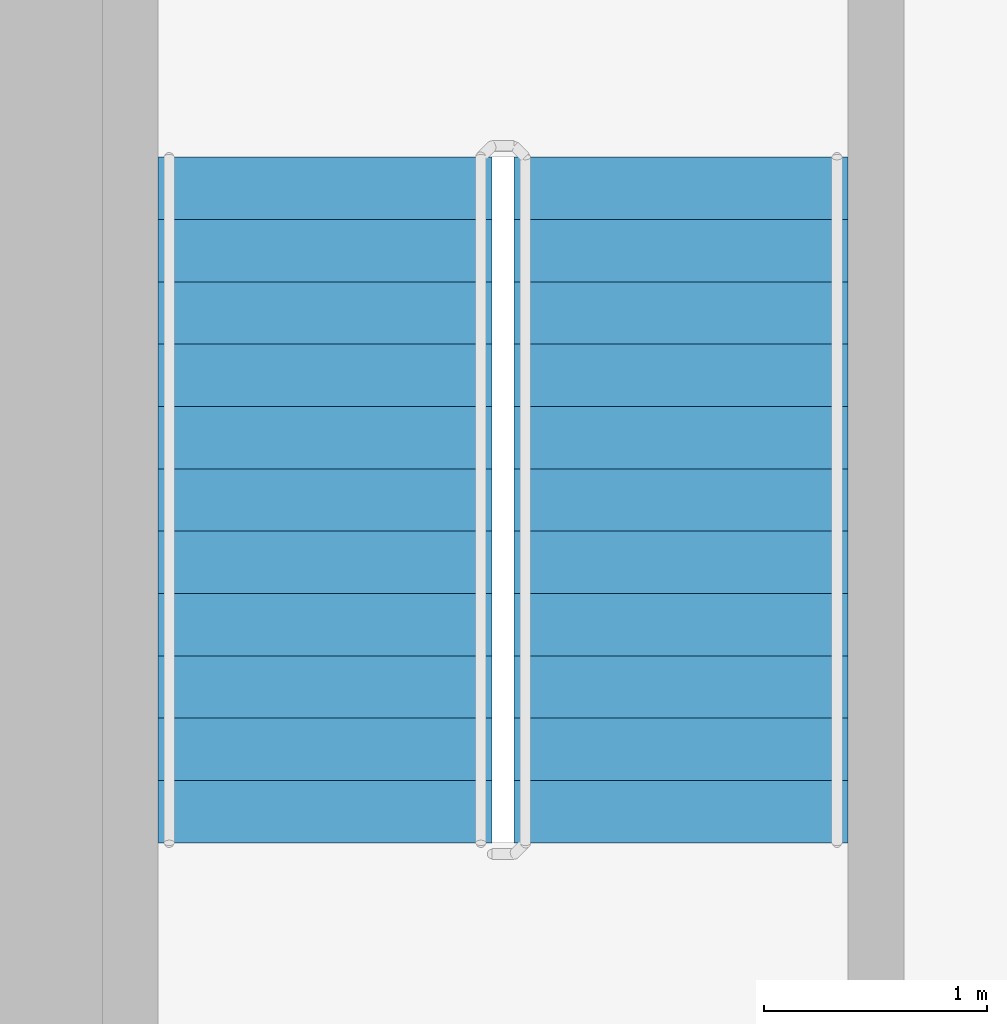
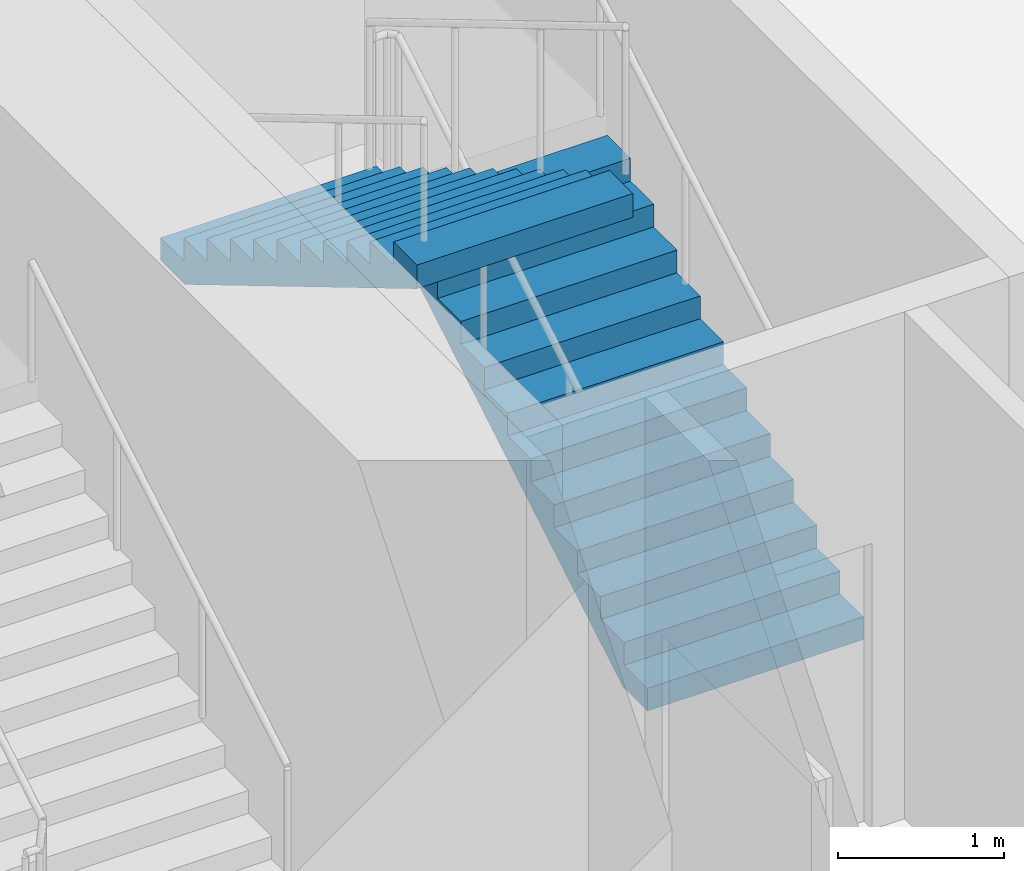
# One storey, part 17 of 27: 2 stair flights, 1 element without a shape of its own.
"""IFC4 building model written with IfcOpenShell, lengths in metres."""

from ifc_helpers import new_model, si_unit, direction, frame, origin, place, context, subcontext, project, spatial, triangles, source, transform, mapped, material, type_object, element, aggregate, save


model = new_model("IFC4")

# Units and contexts
model_context = context("Model", 3, precision=1e-05, world=origin(), true_north=direction((0.0, 1.0)))
body_context = subcontext(model_context, "Body", "Model", "MODEL_VIEW")
ifc_project = project(units=[si_unit("LENGTHUNIT", "METRE"), si_unit("AREAUNIT", "SQUARE_METRE"), si_unit("VOLUMEUNIT", "CUBIC_METRE"), si_unit("PLANEANGLEUNIT", "RADIAN"), si_unit("MASSUNIT", "GRAM", prefix="KILO")], contexts=[model_context])

# Site, building, storey
site_placement = place(None, origin())
site = spatial("IfcSite", under=ifc_project, at=site_placement, CompositionType="ELEMENT")
building_placement = place(site_placement, origin())
building = spatial("IfcBuilding", under=site, at=building_placement, Name="Kilnfold Tower and Market Hall", CompositionType="ELEMENT")
storey_placement = place(building_placement, frame((0.0, 0.0, 71.199951171875)))
storey = spatial("IfcBuildingStorey", under=building, at=storey_placement, Name="L16", CompositionType="ELEMENT", Elevation=71.199951171875)

# Stair, stair flights
ifc_material_1 = material(Name="Concrete C40/50", Category="concrete")
stair_type = type_object("IfcStairType", Name="CORE STAIR 1500", PredefinedType="HALF_TURN_STAIR", material=ifc_material_1)
stair_placement = place(storey_placement, origin())
stair = element("IfcStair", 1, at=stair_placement, inside=storey, type_object=stair_type, Name="L16 ST5", PredefinedType="HALF_TURN_STAIR")
ifc_material_2 = material(Name="Concrete C40/50", Category="concrete")
stair_flight_type = type_object("IfcStairFlightType", Name="CORE STAIR FLIGHT 1500", PredefinedType="STRAIGHT", material=ifc_material_2)
shared_shape = source(origin(), body_context, "Body", "Tessellation", [
    triangles([(0.0, 0.75, 0.0), (0.0, 0.65625, 0.0), (0.0, 0.5625, 0.0), (0.0, 0.46875, 0.0), (0.0, 0.375, 0.0), (0.0, 0.28125, 0.0), (0.0, 0.1875, 0.0), (0.0, 0.09375, 0.0), (0.0, 0.0, 0.0), (0.0, -0.09375, 0.0), (0.0, -0.1875, 0.0), (0.0, -0.28125, 0.0), (0.0, -0.375, 0.0), (0.0, -0.46875, 0.0), (0.0, -0.5625, 0.0), (0.0, -0.65625, 0.0), (0.0, -0.75, 0.0), (0.0, 0.75, 0.166748046875), (0.0, 0.65625, 0.166748046875), (0.0, 0.5625, 0.166748046875), (0.0, 0.46875, 0.166748046875), (0.0, 0.375, 0.166748046875), (0.0, 0.28125, 0.166748046875), (0.0, 0.1875, 0.166748046875), (0.0, 0.09375, 0.166748046875), (0.0, 0.0, 0.166748046875), (0.0, -0.09375, 0.166748046875), (0.0, -0.1875, 0.166748046875), (0.0, -0.28125, 0.166748046875), (0.0, -0.375, 0.166748046875), (0.0, -0.46875, 0.166748046875), (0.0, -0.5625, 0.166748046875), (0.0, -0.65625, 0.166748046875), (0.0, -0.75, 0.166748046875), (0.280029296875, 0.75, 0.166748046875), (0.280029296875, 0.65625, 0.166748046875), (0.280029296875, 0.5625, 0.166748046875), (0.280029296875, 0.46875, 0.166748046875), (0.280029296875, 0.375, 0.166748046875), (0.280029296875, 0.28125, 0.166748046875), (0.280029296875, 0.1875, 0.166748046875), (0.280029296875, 0.09375, 0.166748046875), (0.280029296875, 0.0, 0.166748046875), (0.280029296875, -0.09375, 0.166748046875), (0.280029296875, -0.1875, 0.166748046875), (0.280029296875, -0.28125, 0.166748046875), (0.280029296875, -0.375, 0.166748046875), (0.280029296875, -0.46875, 0.166748046875), (0.280029296875, -0.5625, 0.166748046875), (0.280029296875, -0.65625, 0.166748046875), (0.280029296875, -0.75, 0.166748046875), (0.280029296875, 0.75, 0.333251953125), (0.280029296875, 0.65625, 0.333251953125), (0.280029296875, 0.5625, 0.333251953125), (0.280029296875, 0.46875, 0.333251953125), (0.280029296875, 0.375, 0.333251953125), (0.280029296875, 0.28125, 0.333251953125), (0.280029296875, 0.1875, 0.333251953125), (0.280029296875, 0.09375, 0.333251953125), (0.280029296875, 0.0, 0.333251953125), (0.280029296875, -0.09375, 0.333251953125), (0.280029296875, -0.1875, 0.333251953125), (0.280029296875, -0.28125, 0.333251953125), (0.280029296875, -0.375, 0.333251953125), (0.280029296875, -0.46875, 0.333251953125), (0.280029296875, -0.5625, 0.333251953125), (0.280029296875, -0.65625, 0.333251953125), (0.280029296875, -0.75, 0.333251953125), (0.56005859375, 0.75, 0.333251953125), (0.56005859375, 0.65625, 0.333251953125), (0.56005859375, 0.5625, 0.333251953125), (0.56005859375, 0.46875, 0.333251953125), (0.56005859375, 0.375, 0.333251953125), (0.56005859375, 0.28125, 0.333251953125), (0.56005859375, 0.1875, 0.333251953125), (0.56005859375, 0.09375, 0.333251953125), (0.56005859375, 0.0, 0.333251953125), (0.56005859375, -0.09375, 0.333251953125), (0.56005859375, -0.1875, 0.333251953125), (0.56005859375, -0.28125, 0.333251953125), (0.56005859375, -0.375, 0.333251953125), (0.56005859375, -0.46875, 0.333251953125), (0.56005859375, -0.5625, 0.333251953125), (0.56005859375, -0.65625, 0.333251953125), (0.56005859375, -0.75, 0.333251953125), (0.56005859375, 0.75, 0.5), (0.56005859375, 0.65625, 0.5), (0.56005859375, 0.5625, 0.5), (0.56005859375, 0.46875, 0.5), (0.56005859375, 0.375, 0.5), (0.56005859375, 0.28125, 0.5), (0.56005859375, 0.1875, 0.5), (0.56005859375, 0.09375, 0.5), (0.56005859375, 0.0, 0.5), (0.56005859375, -0.09375, 0.5), (0.56005859375, -0.1875, 0.5), (0.56005859375, -0.28125, 0.5), (0.56005859375, -0.375, 0.5), (0.56005859375, -0.46875, 0.5), (0.56005859375, -0.5625, 0.5), (0.56005859375, -0.65625, 0.5), (0.56005859375, -0.75, 0.5), (0.840087890625, 0.75, 0.5), (0.840087890625, 0.65625, 0.5), (0.840087890625, 0.5625, 0.5), (0.840087890625, 0.46875, 0.5), (0.840087890625, 0.375, 0.5), (0.840087890625, 0.28125, 0.5), (0.840087890625, 0.1875, 0.5), (0.840087890625, 0.09375, 0.5), (0.840087890625, 0.0, 0.5), (0.840087890625, -0.09375, 0.5), (0.840087890625, -0.1875, 0.5), (0.840087890625, -0.28125, 0.5), (0.840087890625, -0.375, 0.5), (0.840087890625, -0.46875, 0.5), (0.840087890625, -0.5625, 0.5), (0.840087890625, -0.65625, 0.5), (0.840087890625, -0.75, 0.5), (0.840087890625, 0.75, 0.666748046875), (0.840087890625, 0.65625, 0.666748046875), (0.840087890625, 0.5625, 0.666748046875), (0.840087890625, 0.46875, 0.666748046875), (0.840087890625, 0.375, 0.666748046875), (0.840087890625, 0.28125, 0.666748046875), (0.840087890625, 0.1875, 0.666748046875), (0.840087890625, 0.09375, 0.666748046875), (0.840087890625, 0.0, 0.666748046875), (0.840087890625, -0.09375, 0.666748046875), (0.840087890625, -0.1875, 0.666748046875), (0.840087890625, -0.28125, 0.666748046875), (0.840087890625, -0.375, 0.666748046875), (0.840087890625, -0.46875, 0.666748046875), (0.840087890625, -0.5625, 0.666748046875), (0.840087890625, -0.65625, 0.666748046875), (0.840087890625, -0.75, 0.666748046875), (1.1201171875, 0.75, 0.666748046875), (1.1201171875, 0.65625, 0.666748046875), (1.1201171875, 0.5625, 0.666748046875), (1.1201171875, 0.46875, 0.666748046875), (1.1201171875, 0.375, 0.666748046875), (1.1201171875, 0.28125, 0.666748046875), (1.1201171875, 0.1875, 0.666748046875), (1.1201171875, 0.09375, 0.666748046875), (1.1201171875, 0.0, 0.666748046875), (1.1201171875, -0.09375, 0.666748046875), (1.1201171875, -0.1875, 0.666748046875), (1.1201171875, -0.28125, 0.666748046875), (1.1201171875, -0.375, 0.666748046875), (1.1201171875, -0.46875, 0.666748046875), (1.1201171875, -0.5625, 0.666748046875), (1.1201171875, -0.65625, 0.666748046875), (1.1201171875, -0.75, 0.666748046875), (1.1201171875, 0.75, 0.833251953125), (1.1201171875, 0.65625, 0.833251953125), (1.1201171875, 0.5625, 0.833251953125), (1.1201171875, 0.46875, 0.833251953125), (1.1201171875, 0.375, 0.833251953125), (1.1201171875, 0.28125, 0.833251953125), (1.1201171875, 0.1875, 0.833251953125), (1.1201171875, 0.09375, 0.833251953125), (1.1201171875, 0.0, 0.833251953125), (1.1201171875, -0.09375, 0.833251953125), (1.1201171875, -0.1875, 0.833251953125), (1.1201171875, -0.28125, 0.833251953125), (1.1201171875, -0.375, 0.833251953125), (1.1201171875, -0.46875, 0.833251953125), (1.1201171875, -0.5625, 0.833251953125), (1.1201171875, -0.65625, 0.833251953125), (1.1201171875, -0.75, 0.833251953125), (1.39990234375, 0.75, 0.833251953125), (1.39990234375, 0.65625, 0.833251953125), (1.39990234375, 0.5625, 0.833251953125), (1.39990234375, 0.46875, 0.833251953125), (1.39990234375, 0.375, 0.833251953125), (1.39990234375, 0.28125, 0.833251953125), (1.39990234375, 0.1875, 0.833251953125), (1.39990234375, 0.09375, 0.833251953125), (1.39990234375, 0.0, 0.833251953125), (1.39990234375, -0.09375, 0.833251953125), (1.39990234375, -0.1875, 0.833251953125), (1.39990234375, -0.28125, 0.833251953125), (1.39990234375, -0.375, 0.833251953125), (1.39990234375, -0.46875, 0.833251953125), (1.39990234375, -0.5625, 0.833251953125), (1.39990234375, -0.65625, 0.833251953125), (1.39990234375, -0.75, 0.833251953125), (1.39990234375, 0.75, 1.0), (1.39990234375, 0.65625, 1.0), (1.39990234375, 0.5625, 1.0), (1.39990234375, 0.46875, 1.0), (1.39990234375, 0.375, 1.0), (1.39990234375, 0.28125, 1.0), (1.39990234375, 0.1875, 1.0), (1.39990234375, 0.09375, 1.0), (1.39990234375, 0.0, 1.0), (1.39990234375, -0.09375, 1.0), (1.39990234375, -0.1875, 1.0), (1.39990234375, -0.28125, 1.0), (1.39990234375, -0.375, 1.0), (1.39990234375, -0.46875, 1.0), (1.39990234375, -0.5625, 1.0), (1.39990234375, -0.65625, 1.0), (1.39990234375, -0.75, 1.0), (1.679931640625, 0.75, 1.0), (1.679931640625, 0.65625, 1.0), (1.679931640625, 0.5625, 1.0), (1.679931640625, 0.46875, 1.0), (1.679931640625, 0.375, 1.0), (1.679931640625, 0.28125, 1.0), (1.679931640625, 0.1875, 1.0), (1.679931640625, 0.09375, 1.0), (1.679931640625, 0.0, 1.0), (1.679931640625, -0.09375, 1.0), (1.679931640625, -0.1875, 1.0), (1.679931640625, -0.28125, 1.0), (1.679931640625, -0.375, 1.0), (1.679931640625, -0.46875, 1.0), (1.679931640625, -0.5625, 1.0), (1.679931640625, -0.65625, 1.0), (1.679931640625, -0.75, 1.0), (1.679931640625, 0.75, 1.166748046875), (1.679931640625, 0.65625, 1.166748046875), (1.679931640625, 0.5625, 1.166748046875), (1.679931640625, 0.46875, 1.166748046875), (1.679931640625, 0.375, 1.166748046875), (1.679931640625, 0.28125, 1.166748046875), (1.679931640625, 0.1875, 1.166748046875), (1.679931640625, 0.09375, 1.166748046875), (1.679931640625, 0.0, 1.166748046875), (1.679931640625, -0.09375, 1.166748046875), (1.679931640625, -0.1875, 1.166748046875), (1.679931640625, -0.28125, 1.166748046875), (1.679931640625, -0.375, 1.166748046875), (1.679931640625, -0.46875, 1.166748046875), (1.679931640625, -0.5625, 1.166748046875), (1.679931640625, -0.65625, 1.166748046875), (1.679931640625, -0.75, 1.166748046875), (1.9599609375, 0.75, 1.166748046875), (1.9599609375, 0.65625, 1.166748046875), (1.9599609375, 0.5625, 1.166748046875), (1.9599609375, 0.46875, 1.166748046875), (1.9599609375, 0.375, 1.166748046875), (1.9599609375, 0.28125, 1.166748046875), (1.9599609375, 0.1875, 1.166748046875), (1.9599609375, 0.09375, 1.166748046875), (1.9599609375, 0.0, 1.166748046875), (1.9599609375, -0.09375, 1.166748046875), (1.9599609375, -0.1875, 1.166748046875), (1.9599609375, -0.28125, 1.166748046875), (1.9599609375, -0.375, 1.166748046875), (1.9599609375, -0.46875, 1.166748046875), (1.9599609375, -0.5625, 1.166748046875), (1.9599609375, -0.65625, 1.166748046875), (1.9599609375, -0.75, 1.166748046875), (1.9599609375, 0.75, 1.333251953125), (1.9599609375, 0.65625, 1.333251953125), (1.9599609375, 0.5625, 1.333251953125), (1.9599609375, 0.46875, 1.333251953125), (1.9599609375, 0.375, 1.333251953125), (1.9599609375, 0.28125, 1.333251953125), (1.9599609375, 0.1875, 1.333251953125), (1.9599609375, 0.09375, 1.333251953125), (1.9599609375, 0.0, 1.333251953125), (1.9599609375, -0.09375, 1.333251953125), (1.9599609375, -0.1875, 1.333251953125), (1.9599609375, -0.28125, 1.333251953125), (1.9599609375, -0.375, 1.333251953125), (1.9599609375, -0.46875, 1.333251953125), (1.9599609375, -0.5625, 1.333251953125), (1.9599609375, -0.65625, 1.333251953125), (1.9599609375, -0.75, 1.333251953125), (2.239990234375, 0.75, 1.333251953125), (2.239990234375, 0.65625, 1.333251953125), (2.239990234375, 0.5625, 1.333251953125), (2.239990234375, 0.46875, 1.333251953125), (2.239990234375, 0.375, 1.333251953125), (2.239990234375, 0.28125, 1.333251953125), (2.239990234375, 0.1875, 1.333251953125), (2.239990234375, 0.09375, 1.333251953125), (2.239990234375, 0.0, 1.333251953125), (2.239990234375, -0.09375, 1.333251953125), (2.239990234375, -0.1875, 1.333251953125), (2.239990234375, -0.28125, 1.333251953125), (2.239990234375, -0.375, 1.333251953125), (2.239990234375, -0.46875, 1.333251953125), (2.239990234375, -0.5625, 1.333251953125), (2.239990234375, -0.65625, 1.333251953125), (2.239990234375, -0.75, 1.333251953125), (2.239990234375, 0.75, 1.5), (2.239990234375, 0.65625, 1.5), (2.239990234375, 0.5625, 1.5), (2.239990234375, 0.46875, 1.5), (2.239990234375, 0.375, 1.5), (2.239990234375, 0.28125, 1.5), (2.239990234375, 0.1875, 1.5), (2.239990234375, 0.09375, 1.5), (2.239990234375, 0.0, 1.5), (2.239990234375, -0.09375, 1.5), (2.239990234375, -0.1875, 1.5), (2.239990234375, -0.28125, 1.5), (2.239990234375, -0.375, 1.5), (2.239990234375, -0.46875, 1.5), (2.239990234375, -0.5625, 1.5), (2.239990234375, -0.65625, 1.5), (2.239990234375, -0.75, 1.5), (2.52001953125, 0.75, 1.5), (2.52001953125, 0.65625, 1.5), (2.52001953125, 0.5625, 1.5), (2.52001953125, 0.46875, 1.5), (2.52001953125, 0.375, 1.5), (2.52001953125, 0.28125, 1.5), (2.52001953125, 0.1875, 1.5), (2.52001953125, 0.09375, 1.5), (2.52001953125, 0.0, 1.5), (2.52001953125, -0.09375, 1.5), (2.52001953125, -0.1875, 1.5), (2.52001953125, -0.28125, 1.5), (2.52001953125, -0.375, 1.5), (2.52001953125, -0.46875, 1.5), (2.52001953125, -0.5625, 1.5), (2.52001953125, -0.65625, 1.5), (2.52001953125, -0.75, 1.5), (2.52001953125, 0.75, 1.666748046875), (2.52001953125, 0.65625, 1.666748046875), (2.52001953125, 0.5625, 1.666748046875), (2.52001953125, 0.46875, 1.666748046875), (2.52001953125, 0.375, 1.666748046875), (2.52001953125, 0.28125, 1.666748046875), (2.52001953125, 0.1875, 1.666748046875), (2.52001953125, 0.09375, 1.666748046875), (2.52001953125, 0.0, 1.666748046875), (2.52001953125, -0.09375, 1.666748046875), (2.52001953125, -0.1875, 1.666748046875), (2.52001953125, -0.28125, 1.666748046875), (2.52001953125, -0.375, 1.666748046875), (2.52001953125, -0.46875, 1.666748046875), (2.52001953125, -0.5625, 1.666748046875), (2.52001953125, -0.65625, 1.666748046875), (2.52001953125, -0.75, 1.666748046875), (2.800048828125, 0.75, 1.666748046875), (2.800048828125, 0.65625, 1.666748046875), (2.800048828125, 0.5625, 1.666748046875), (2.800048828125, 0.46875, 1.666748046875), (2.800048828125, 0.375, 1.666748046875), (2.800048828125, 0.28125, 1.666748046875), (2.800048828125, 0.1875, 1.666748046875), (2.800048828125, 0.09375, 1.666748046875), (2.800048828125, 0.0, 1.666748046875), (2.800048828125, -0.09375, 1.666748046875), (2.800048828125, -0.1875, 1.666748046875), (2.800048828125, -0.28125, 1.666748046875), (2.800048828125, -0.375, 1.666748046875), (2.800048828125, -0.46875, 1.666748046875), (2.800048828125, -0.5625, 1.666748046875), (2.800048828125, -0.65625, 1.666748046875), (2.800048828125, -0.75, 1.666748046875), (2.800048828125, 0.75, 1.833251953125), (2.800048828125, 0.65625, 1.833251953125), (2.800048828125, 0.5625, 1.833251953125), (2.800048828125, 0.46875, 1.833251953125), (2.800048828125, 0.375, 1.833251953125), (2.800048828125, 0.28125, 1.833251953125), (2.800048828125, 0.1875, 1.833251953125), (2.800048828125, 0.09375, 1.833251953125), (2.800048828125, 0.0, 1.833251953125), (2.800048828125, -0.09375, 1.833251953125), (2.800048828125, -0.1875, 1.833251953125), (2.800048828125, -0.28125, 1.833251953125), (2.800048828125, -0.375, 1.833251953125), (2.800048828125, -0.46875, 1.833251953125), (2.800048828125, -0.5625, 1.833251953125), (2.800048828125, -0.65625, 1.833251953125), (2.800048828125, -0.75, 1.833251953125), (3.080078125, 0.75, 1.833251953125), (3.080078125, 0.65625, 1.833251953125), (3.080078125, 0.5625, 1.833251953125), (3.080078125, 0.46875, 1.833251953125), (3.080078125, 0.375, 1.833251953125), (3.080078125, 0.28125, 1.833251953125), (3.080078125, 0.1875, 1.833251953125), (3.080078125, 0.09375, 1.833251953125), (3.080078125, 0.0, 1.833251953125), (3.080078125, -0.09375, 1.833251953125), (3.080078125, -0.1875, 1.833251953125), (3.080078125, -0.28125, 1.833251953125), (3.080078125, -0.375, 1.833251953125), (3.080078125, -0.46875, 1.833251953125), (3.080078125, -0.5625, 1.833251953125), (3.080078125, -0.65625, 1.833251953125), (3.080078125, -0.75, 1.833251953125), (3.080078125, 0.75, 1.658935546875), (3.080078125, 0.65625, 1.658935546875), (3.080078125, 0.5625, 1.658935546875), (3.080078125, 0.46875, 1.658935546875), (3.080078125, 0.375, 1.658935546875), (3.080078125, 0.28125, 1.658935546875), (3.080078125, 0.1875, 1.658935546875), (3.080078125, 0.09375, 1.658935546875), (3.080078125, 0.0, 1.658935546875), (3.080078125, -0.09375, 1.658935546875), (3.080078125, -0.1875, 1.658935546875), (3.080078125, -0.28125, 1.658935546875), (3.080078125, -0.375, 1.658935546875), (3.080078125, -0.46875, 1.658935546875), (3.080078125, -0.5625, 1.658935546875), (3.080078125, -0.65625, 1.658935546875), (3.080078125, -0.75, 1.658935546875), (0.29296875, 0.75, 0.0), (0.29296875, 0.65625, 0.0), (0.29296875, 0.5625, 0.0), (0.29296875, 0.46875, 0.0), (0.29296875, 0.375, 0.0), (0.29296875, 0.28125, 0.0), (0.29296875, 0.1875, 0.0), (0.29296875, 0.09375, 0.0), (0.29296875, 0.0, 0.0), (0.29296875, -0.09375, 0.0), (0.29296875, -0.1875, 0.0), (0.29296875, -0.28125, 0.0), (0.29296875, -0.375, 0.0), (0.29296875, -0.46875, 0.0), (0.29296875, -0.5625, 0.0), (0.29296875, -0.65625, 0.0), (0.29296875, -0.75, 0.0)], [[1, 392, 409], [17, 425, 408], [392, 358, 375], [408, 391, 374], [392, 341, 358], [408, 374, 357], [392, 324, 341], [408, 357, 340], [392, 307, 324], [408, 340, 323], [307, 273, 290], [323, 306, 289], [392, 273, 307], [408, 323, 289], [273, 239, 256], [289, 272, 255], [392, 239, 273], [408, 289, 255], [239, 205, 222], [255, 238, 221], [392, 205, 239], [408, 255, 221], [205, 171, 188], [221, 204, 187], [392, 171, 205], [408, 221, 187], [171, 137, 154], [187, 170, 153], [392, 137, 171], [408, 187, 153], [137, 103, 120], [153, 136, 119], [392, 103, 137], [408, 153, 119], [103, 69, 86], [119, 102, 85], [392, 69, 103], [408, 119, 85], [1, 69, 392], [17, 408, 85], [69, 35, 52], [85, 68, 51], [1, 35, 69], [17, 85, 51], [35, 1, 18], [51, 34, 17], [1, 19, 18], [1, 2, 19], [2, 20, 19], [2, 3, 20], [3, 21, 20], [3, 4, 21], [4, 22, 21], [4, 5, 22], [5, 23, 22], [5, 6, 23], [6, 24, 23], [6, 7, 24], [7, 25, 24], [7, 8, 25], [8, 26, 25], [8, 9, 26], [9, 27, 26], [9, 10, 27], [10, 28, 27], [10, 11, 28], [11, 29, 28], [11, 12, 29], [12, 30, 29], [12, 13, 30], [13, 31, 30], [13, 14, 31], [14, 32, 31], [14, 15, 32], [15, 33, 32], [15, 16, 33], [16, 34, 33], [16, 17, 34], [18, 36, 35], [18, 19, 36], [19, 37, 36], [19, 20, 37], [20, 38, 37], [20, 21, 38], [21, 39, 38], [21, 22, 39], [22, 40, 39], [22, 23, 40], [23, 41, 40], [23, 24, 41], [24, 42, 41], [24, 25, 42], [25, 43, 42], [25, 26, 43], [26, 44, 43], [26, 27, 44], [27, 45, 44], [27, 28, 45], [28, 46, 45], [28, 29, 46], [29, 47, 46], [29, 30, 47], [30, 48, 47], [30, 31, 48], [31, 49, 48], [31, 32, 49], [32, 50, 49], [32, 33, 50], [33, 51, 50], [33, 34, 51], [35, 53, 52], [35, 36, 53], [36, 54, 53], [36, 37, 54], [37, 55, 54], [37, 38, 55], [38, 56, 55], [38, 39, 56], [39, 57, 56], [39, 40, 57], [40, 58, 57], [40, 41, 58], [41, 59, 58], [41, 42, 59], [42, 60, 59], [42, 43, 60], [43, 61, 60], [43, 44, 61], [44, 62, 61], [44, 45, 62], [45, 63, 62], [45, 46, 63], [46, 64, 63], [46, 47, 64], [47, 65, 64], [47, 48, 65], [48, 66, 65], [48, 49, 66], [49, 67, 66], [49, 50, 67], [50, 68, 67], [50, 51, 68], [52, 70, 69], [52, 53, 70], [53, 71, 70], [53, 54, 71], [54, 72, 71], [54, 55, 72], [55, 73, 72], [55, 56, 73], [56, 74, 73], [56, 57, 74], [57, 75, 74], [57, 58, 75], [58, 76, 75], [58, 59, 76], [59, 77, 76], [59, 60, 77], [60, 78, 77], [60, 61, 78], [61, 79, 78], [61, 62, 79], [62, 80, 79], [62, 63, 80], [63, 81, 80], [63, 64, 81], [64, 82, 81], [64, 65, 82], [65, 83, 82], [65, 66, 83], [66, 84, 83], [66, 67, 84], [67, 85, 84], [67, 68, 85], [69, 87, 86], [69, 70, 87], [70, 88, 87], [70, 71, 88], [71, 89, 88], [71, 72, 89], [72, 90, 89], [72, 73, 90], [73, 91, 90], [73, 74, 91], [74, 92, 91], [74, 75, 92], [75, 93, 92], [75, 76, 93], [76, 94, 93], [76, 77, 94], [77, 95, 94], [77, 78, 95], [78, 96, 95], [78, 79, 96], [79, 97, 96], [79, 80, 97], [80, 98, 97], [80, 81, 98], [81, 99, 98], [81, 82, 99], [82, 100, 99], [82, 83, 100], [83, 101, 100], [83, 84, 101], [84, 102, 101], [84, 85, 102], [86, 104, 103], [86, 87, 104], [87, 105, 104], [87, 88, 105], [88, 106, 105], [88, 89, 106], [89, 107, 106], [89, 90, 107], [90, 108, 107], [90, 91, 108], [91, 109, 108], [91, 92, 109], [92, 110, 109], [92, 93, 110], [93, 111, 110], [93, 94, 111], [94, 112, 111], [94, 95, 112], [95, 113, 112], [95, 96, 113], [96, 114, 113], [96, 97, 114], [97, 115, 114], [97, 98, 115], [98, 116, 115], [98, 99, 116], [99, 117, 116], [99, 100, 117], [100, 118, 117], [100, 101, 118], [101, 119, 118], [101, 102, 119], [103, 121, 120], [103, 104, 121], [104, 122, 121], [104, 105, 122], [105, 123, 122], [105, 106, 123], [106, 124, 123], [106, 107, 124], [107, 125, 124], [107, 108, 125], [108, 126, 125], [108, 109, 126], [109, 127, 126], [109, 110, 127], [110, 128, 127], [110, 111, 128], [111, 129, 128], [111, 112, 129], [112, 130, 129], [112, 113, 130], [113, 131, 130], [113, 114, 131], [114, 132, 131], [114, 115, 132], [115, 133, 132], [115, 116, 133], [116, 134, 133], [116, 117, 134], [117, 135, 134], [117, 118, 135], [118, 136, 135], [118, 119, 136], [120, 138, 137], [120, 121, 138], [121, 139, 138], [121, 122, 139], [122, 140, 139], [122, 123, 140], [123, 141, 140], [123, 124, 141], [124, 142, 141], [124, 125, 142], [125, 143, 142], [125, 126, 143], [126, 144, 143], [126, 127, 144], [127, 145, 144], [127, 128, 145], [128, 146, 145], [128, 129, 146], [129, 147, 146], [129, 130, 147], [130, 148, 147], [130, 131, 148], [131, 149, 148], [131, 132, 149], [132, 150, 149], [132, 133, 150], [133, 151, 150], [133, 134, 151], [134, 152, 151], [134, 135, 152], [135, 153, 152], [135, 136, 153], [137, 155, 154], [137, 138, 155], [138, 156, 155], [138, 139, 156], [139, 157, 156], [139, 140, 157], [140, 158, 157], [140, 141, 158], [141, 159, 158], [141, 142, 159], [142, 160, 159], [142, 143, 160], [143, 161, 160], [143, 144, 161], [144, 162, 161], [144, 145, 162], [145, 163, 162], [145, 146, 163], [146, 164, 163], [146, 147, 164], [147, 165, 164], [147, 148, 165], [148, 166, 165], [148, 149, 166], [149, 167, 166], [149, 150, 167], [150, 168, 167], [150, 151, 168], [151, 169, 168], [151, 152, 169], [152, 170, 169], [152, 153, 170], [154, 172, 171], [154, 155, 172], [155, 173, 172], [155, 156, 173], [156, 174, 173], [156, 157, 174], [157, 175, 174], [157, 158, 175], [158, 176, 175], [158, 159, 176], [159, 177, 176], [159, 160, 177], [160, 178, 177], [160, 161, 178], [161, 179, 178], [161, 162, 179], [162, 180, 179], [162, 163, 180], [163, 181, 180], [163, 164, 181], [164, 182, 181], [164, 165, 182], [165, 183, 182], [165, 166, 183], [166, 184, 183], [166, 167, 184], [167, 185, 184], [167, 168, 185], [168, 186, 185], [168, 169, 186], [169, 187, 186], [169, 170, 187], [171, 189, 188], [171, 172, 189], [172, 190, 189], [172, 173, 190], [173, 191, 190], [173, 174, 191], [174, 192, 191], [174, 175, 192], [175, 193, 192], [175, 176, 193], [176, 194, 193], [176, 177, 194], [177, 195, 194], [177, 178, 195], [178, 196, 195], [178, 179, 196], [179, 197, 196], [179, 180, 197], [180, 198, 197], [180, 181, 198], [181, 199, 198], [181, 182, 199], [182, 200, 199], [182, 183, 200], [183, 201, 200], [183, 184, 201], [184, 202, 201], [184, 185, 202], [185, 203, 202], [185, 186, 203], [186, 204, 203], [186, 187, 204], [188, 206, 205], [188, 189, 206], [189, 207, 206], [189, 190, 207], [190, 208, 207], [190, 191, 208], [191, 209, 208], [191, 192, 209], [192, 210, 209], [192, 193, 210], [193, 211, 210], [193, 194, 211], [194, 212, 211], [194, 195, 212], [195, 213, 212], [195, 196, 213], [196, 214, 213], [196, 197, 214], [197, 215, 214], [197, 198, 215], [198, 216, 215], [198, 199, 216], [199, 217, 216], [199, 200, 217], [200, 218, 217], [200, 201, 218], [201, 219, 218], [201, 202, 219], [202, 220, 219], [202, 203, 220], [203, 221, 220], [203, 204, 221], [205, 223, 222], [205, 206, 223], [206, 224, 223], [206, 207, 224], [207, 225, 224], [207, 208, 225], [208, 226, 225], [208, 209, 226], [209, 227, 226], [209, 210, 227], [210, 228, 227], [210, 211, 228], [211, 229, 228], [211, 212, 229], [212, 230, 229], [212, 213, 230], [213, 231, 230], [213, 214, 231], [214, 232, 231], [214, 215, 232], [215, 233, 232], [215, 216, 233], [216, 234, 233], [216, 217, 234], [217, 235, 234], [217, 218, 235], [218, 236, 235], [218, 219, 236], [219, 237, 236], [219, 220, 237], [220, 238, 237], [220, 221, 238], [222, 240, 239], [222, 223, 240], [223, 241, 240], [223, 224, 241], [224, 242, 241], [224, 225, 242], [225, 243, 242], [225, 226, 243], [226, 244, 243], [226, 227, 244], [227, 245, 244], [227, 228, 245], [228, 246, 245], [228, 229, 246], [229, 247, 246], [229, 230, 247], [230, 248, 247], [230, 231, 248], [231, 249, 248], [231, 232, 249], [232, 250, 249], [232, 233, 250], [233, 251, 250], [233, 234, 251], [234, 252, 251], [234, 235, 252], [235, 253, 252], [235, 236, 253], [236, 254, 253], [236, 237, 254], [237, 255, 254], [237, 238, 255], [239, 257, 256], [239, 240, 257], [240, 258, 257], [240, 241, 258], [241, 259, 258], [241, 242, 259], [242, 260, 259], [242, 243, 260], [243, 261, 260], [243, 244, 261], [244, 262, 261], [244, 245, 262], [245, 263, 262], [245, 246, 263], [246, 264, 263], [246, 247, 264], [247, 265, 264], [247, 248, 265], [248, 266, 265], [248, 249, 266], [249, 267, 266], [249, 250, 267], [250, 268, 267], [250, 251, 268], [251, 269, 268], [251, 252, 269], [252, 270, 269], [252, 253, 270], [253, 271, 270], [253, 254, 271], [254, 272, 271], [254, 255, 272], [256, 274, 273], [256, 257, 274], [257, 275, 274], [257, 258, 275], [258, 276, 275], [258, 259, 276], [259, 277, 276], [259, 260, 277], [260, 278, 277], [260, 261, 278], [261, 279, 278], [261, 262, 279], [262, 280, 279], [262, 263, 280], [263, 281, 280], [263, 264, 281], [264, 282, 281], [264, 265, 282], [265, 283, 282], [265, 266, 283], [266, 284, 283], [266, 267, 284], [267, 285, 284], [267, 268, 285], [268, 286, 285], [268, 269, 286], [269, 287, 286], [269, 270, 287], [270, 288, 287], [270, 271, 288], [271, 289, 288], [271, 272, 289], [273, 291, 290], [273, 274, 291], [274, 292, 291], [274, 275, 292], [275, 293, 292], [275, 276, 293], [276, 294, 293], [276, 277, 294], [277, 295, 294], [277, 278, 295], [278, 296, 295], [278, 279, 296], [279, 297, 296], [279, 280, 297], [280, 298, 297], [280, 281, 298], [281, 299, 298], [281, 282, 299], [282, 300, 299], [282, 283, 300], [283, 301, 300], [283, 284, 301], [284, 302, 301], [284, 285, 302], [285, 303, 302], [285, 286, 303], [286, 304, 303], [286, 287, 304], [287, 305, 304], [287, 288, 305], [288, 306, 305], [288, 289, 306], [290, 308, 307], [290, 291, 308], [291, 309, 308], [291, 292, 309], [292, 310, 309], [292, 293, 310], [293, 311, 310], [293, 294, 311], [294, 312, 311], [294, 295, 312], [295, 313, 312], [295, 296, 313], [296, 314, 313], [296, 297, 314], [297, 315, 314], [297, 298, 315], [298, 316, 315], [298, 299, 316], [299, 317, 316], [299, 300, 317], [300, 318, 317], [300, 301, 318], [301, 319, 318], [301, 302, 319], [302, 320, 319], [302, 303, 320], [303, 321, 320], [303, 304, 321], [304, 322, 321], [304, 305, 322], [305, 323, 322], [305, 306, 323], [307, 325, 324], [307, 308, 325], [308, 326, 325], [308, 309, 326], [309, 327, 326], [309, 310, 327], [310, 328, 327], [310, 311, 328], [311, 329, 328], [311, 312, 329], [312, 330, 329], [312, 313, 330], [313, 331, 330], [313, 314, 331], [314, 332, 331], [314, 315, 332], [315, 333, 332], [315, 316, 333], [316, 334, 333], [316, 317, 334], [317, 335, 334], [317, 318, 335], [318, 336, 335], [318, 319, 336], [319, 337, 336], [319, 320, 337], [320, 338, 337], [320, 321, 338], [321, 339, 338], [321, 322, 339], [322, 340, 339], [322, 323, 340], [324, 342, 341], [324, 325, 342], [325, 343, 342], [325, 326, 343], [326, 344, 343], [326, 327, 344], [327, 345, 344], [327, 328, 345], [328, 346, 345], [328, 329, 346], [329, 347, 346], [329, 330, 347], [330, 348, 347], [330, 331, 348], [331, 349, 348], [331, 332, 349], [332, 350, 349], [332, 333, 350], [333, 351, 350], [333, 334, 351], [334, 352, 351], [334, 335, 352], [335, 353, 352], [335, 336, 353], [336, 354, 353], [336, 337, 354], [337, 355, 354], [337, 338, 355], [338, 356, 355], [338, 339, 356], [339, 357, 356], [339, 340, 357], [341, 359, 358], [341, 342, 359], [342, 360, 359], [342, 343, 360], [343, 361, 360], [343, 344, 361], [344, 362, 361], [344, 345, 362], [345, 363, 362], [345, 346, 363], [346, 364, 363], [346, 347, 364], [347, 365, 364], [347, 348, 365], [348, 366, 365], [348, 349, 366], [349, 367, 366], [349, 350, 367], [350, 368, 367], [350, 351, 368], [351, 369, 368], [351, 352, 369], [352, 370, 369], [352, 353, 370], [353, 371, 370], [353, 354, 371], [354, 372, 371], [354, 355, 372], [355, 373, 372], [355, 356, 373], [356, 374, 373], [356, 357, 374], [358, 376, 375], [358, 359, 376], [359, 377, 376], [359, 360, 377], [360, 378, 377], [360, 361, 378], [361, 379, 378], [361, 362, 379], [362, 380, 379], [362, 363, 380], [363, 381, 380], [363, 364, 381], [364, 382, 381], [364, 365, 382], [365, 383, 382], [365, 366, 383], [366, 384, 383], [366, 367, 384], [367, 385, 384], [367, 368, 385], [368, 386, 385], [368, 369, 386], [369, 387, 386], [369, 370, 387], [370, 388, 387], [370, 371, 388], [371, 389, 388], [371, 372, 389], [372, 390, 389], [372, 373, 390], [373, 391, 390], [373, 374, 391], [375, 393, 392], [375, 376, 393], [376, 394, 393], [376, 377, 394], [377, 395, 394], [377, 378, 395], [378, 396, 395], [378, 379, 396], [379, 397, 396], [379, 380, 397], [380, 398, 397], [380, 381, 398], [381, 399, 398], [381, 382, 399], [382, 400, 399], [382, 383, 400], [383, 401, 400], [383, 384, 401], [384, 402, 401], [384, 385, 402], [385, 403, 402], [385, 386, 403], [386, 404, 403], [386, 387, 404], [387, 405, 404], [387, 388, 405], [388, 406, 405], [388, 389, 406], [389, 407, 406], [389, 390, 407], [390, 408, 407], [390, 391, 408], [392, 410, 409], [392, 393, 410], [393, 411, 410], [393, 394, 411], [394, 412, 411], [394, 395, 412], [395, 413, 412], [395, 396, 413], [396, 414, 413], [396, 397, 414], [397, 415, 414], [397, 398, 415], [398, 416, 415], [398, 399, 416], [399, 417, 416], [399, 400, 417], [400, 418, 417], [400, 401, 418], [401, 419, 418], [401, 402, 419], [402, 420, 419], [402, 403, 420], [403, 421, 420], [403, 404, 421], [404, 422, 421], [404, 405, 422], [405, 423, 422], [405, 406, 423], [406, 424, 423], [406, 407, 424], [407, 425, 424], [407, 408, 425], [409, 2, 1], [409, 410, 2], [410, 3, 2], [410, 411, 3], [411, 4, 3], [411, 412, 4], [412, 5, 4], [412, 413, 5], [413, 6, 5], [413, 414, 6], [414, 7, 6], [414, 415, 7], [415, 8, 7], [415, 416, 8], [416, 9, 8], [416, 417, 9], [417, 10, 9], [417, 418, 10], [418, 11, 10], [418, 419, 11], [419, 12, 11], [419, 420, 12], [420, 13, 12], [420, 421, 13], [421, 14, 13], [421, 422, 14], [422, 15, 14], [422, 423, 15], [423, 16, 15], [423, 424, 16], [424, 17, 16], [424, 425, 17]], closed=True),
])
stair_flight_1_placement = place(storey_placement, frame((20.699951171875, 11.5, 0.0), z_axis=(0.0, 0.0, 1.0), x_axis=(0.0, 1.0, 0.0)))
stair_flight_1 = element("IfcStairFlight", 2, at=stair_flight_1_placement, type_object=stair_flight_type, Name="ST5 flight 1", NumberOfRisers=12, NumberOfTreads=11, PredefinedType="STRAIGHT", RiserHeight=0.166666667, TreadLength=0.28, context=body_context, shape_type="MappedRepresentation", body=[
    mapped(shared_shape, transform((0.0, 0.0, 0.0))),
])
stair_flight_2_placement = place(storey_placement, frame((19.10009765625, 14.580078125, 2.0), z_axis=(0.0, 0.0, 1.0), x_axis=(0.0, -1.0, 0.0)))
stair_flight_2 = element("IfcStairFlight", 3, at=stair_flight_2_placement, type_object=stair_flight_type, Name="ST5 flight 2", NumberOfRisers=12, NumberOfTreads=11, PredefinedType="STRAIGHT", RiserHeight=0.166666667, TreadLength=0.28, context=body_context, shape_type="MappedRepresentation", body=[
    mapped(shared_shape, transform((0.0, 0.0, 0.0))),
])
aggregate(stair, [stair_flight_1, stair_flight_2])

save(model, "model.ifc")
